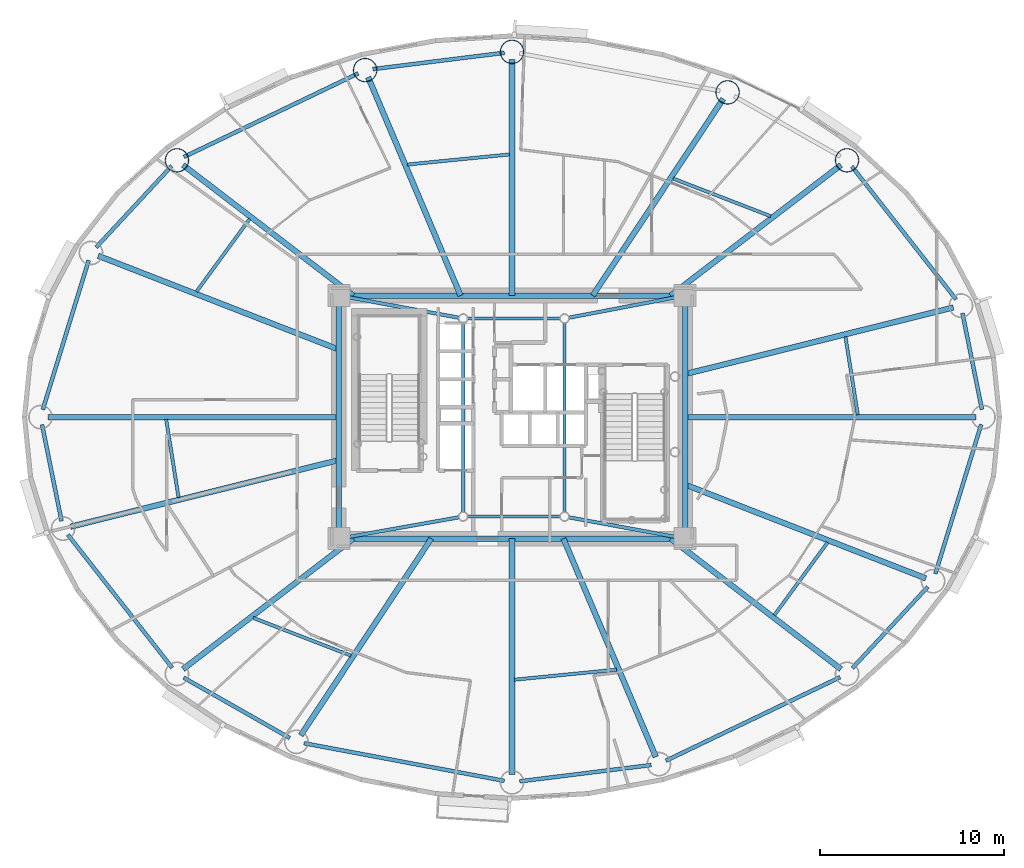
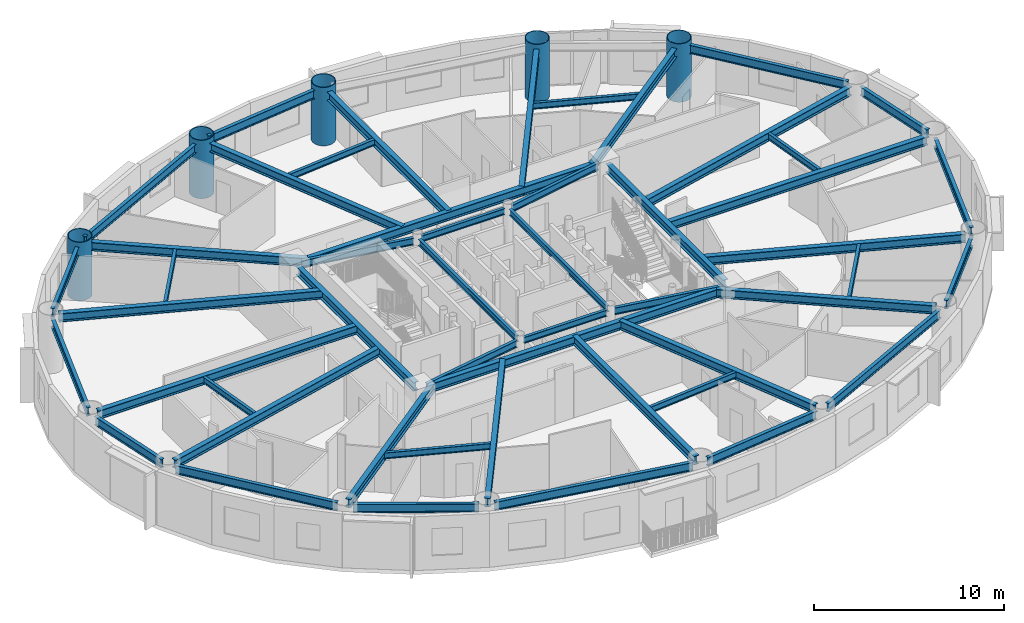
# One storey, part 3 of 17: 50 beams, 5 columns.
"""IFC4 building model written with IfcOpenShell, lengths in metres."""

from ifc_helpers import new_model, si_unit, direction, frame, origin, origin_2d, place, context, subcontext, project, spatial, hollow_circle, i_section, extrude, material, material_profile, profile_set, type_object, element, save


model = new_model("IFC4")

# Units and contexts
model_context = context("Model", 3, precision=1e-05, world=origin(), true_north=direction((0.0, 1.0)))
body_context = subcontext(model_context, "Body", "Model", "MODEL_VIEW")
ifc_project = project(units=[si_unit("LENGTHUNIT", "METRE"), si_unit("AREAUNIT", "SQUARE_METRE"), si_unit("VOLUMEUNIT", "CUBIC_METRE"), si_unit("PLANEANGLEUNIT", "RADIAN"), si_unit("MASSUNIT", "GRAM", prefix="KILO")], contexts=[model_context])

# Site, building, storey
site_placement = place(None, origin())
site = spatial("IfcSite", under=ifc_project, at=site_placement, CompositionType="ELEMENT")
building_placement = place(site_placement, origin())
building = spatial("IfcBuilding", under=site, at=building_placement, Name="Linh Dai School and Residence Tower", CompositionType="ELEMENT")
storey_placement = place(building_placement, frame((0.0, 0.0, 201.14990234375)))
storey = spatial("IfcBuildingStorey", under=building, at=storey_placement, Name="L49", CompositionType="ELEMENT", Elevation=201.14990234375)

# Columns
ifc_material = material(Name="Structural Steel S355JR", Category="steel")
ifc_material_profile_1 = material_profile(ifc_material, hollow_circle(Radius=0.64990234375, WallThickness=0.0400390625, at=origin_2d()), Name="CHS 1300x40")
ifc_profile_set_1 = profile_set([ifc_material_profile_1], Name="Structural Steel S355JR")
column_type = type_object("IfcColumnType", Name="COL-MC4", PredefinedType="COLUMN", material=ifc_profile_set_1)
for number, where, z_axis, x_axis, name in (
    (1, (54.1923828125, 40.941650390625, 0.0), (0.0, 0.0, 1.0), (1.0, 0.0, 0.0), "L49 Perimeter CFT Mega-Column MC03"),
    (2, (47.70556640625, 44.630859375, 0.0), (0.0, 0.0, 1.0), (1.0, 0.0, 0.0), "L49 Perimeter CFT Mega-Column MC04"),
    (3, (36.0, 46.830078125, 0.0), (0.0, 0.0, 1.0), (1.0, 0.0, 0.0), "L49 Perimeter CFT Mega-Column MC05"),
    (4, (28.026611328125, 45.84130859375, 0.0), (0.0, 0.0, 1.0), (1.0, 0.0, 0.0), "L49 Perimeter CFT Mega-Column MC06"),
    (5, (17.8076171875, 40.941650390625, 0.0), (0.0, 0.0, 1.0), (1.0, 0.0, 0.0), "L49 Perimeter CFT Mega-Column MC07"),
):
    element("IfcColumn", number, at=place(storey_placement, frame(where, z_axis=z_axis, x_axis=x_axis)), inside=storey, type_object=column_type, Name=name, PredefinedType="COLUMN", context=body_context, shape_type="SweptSolid", body=[
        extrude(hollow_circle(Radius=0.64990234375, WallThickness=0.0400390625, at=origin_2d()), origin(), (0.0, 0.0, 1.0), 3.75),
    ])

# Beams
ifc_material_profile_2 = material_profile(ifc_material, i_section(OverallWidth=0.2099609375, OverallDepth=0.550048828125, WebThickness=0.010986328125, FlangeThickness=0.01708984375, FilletRadius=0.02392578125, at=origin_2d()), Name="IPE 550")
ifc_profile_set_2 = profile_set([ifc_material_profile_2], Name="Structural Steel S355JR")
beam_type_1 = type_object("IfcBeamType", Name="BM-RB55", PredefinedType="BEAM", material=ifc_profile_set_2)
beam_1_placement = place(storey_placement, frame((61.5166015625, 27.41162109375, 3.175048828125), z_axis=(-0.198420723955, 0.980116940117, 0.0), x_axis=(-0.980116940117, -0.198420723955, 0.0)))
element("IfcBeam", 6, at=beam_1_placement, inside=storey, type_object=beam_type_1, Name="L49 Perimeter Elliptical Ring Beam 01", PredefinedType="BEAM", context=body_context, shape_type="SweptSolid", body=[
    extrude(i_section(OverallWidth=0.2099609375, OverallDepth=0.550048828125, WebThickness=0.010986328125, FlangeThickness=0.01708984375, FilletRadius=0.02392578125, at=origin_2d()), origin(), (0.0, 0.0, 1.0), 5.33642578125),
])
beam_2_placement = place(storey_placement, frame((60.115478515625, 33.38427734375, 3.175048828125), z_axis=(-0.616852281883, 0.787078942887, 0.0), x_axis=(-0.787078942887, -0.616852281883, 0.0)))
element("IfcBeam", 7, at=beam_2_placement, inside=storey, type_object=beam_type_1, Name="L49 Perimeter Elliptical Ring Beam 02", PredefinedType="BEAM", context=body_context, shape_type="SweptSolid", body=[
    extrude(i_section(OverallWidth=0.2099609375, OverallDepth=0.550048828125, WebThickness=0.010986328125, FlangeThickness=0.01708984375, FilletRadius=0.02392578125, at=origin_2d()), origin(), (0.0, 0.0, 1.0), 9.181884765625),
])
beam_3_placement = place(storey_placement, frame((35.583251953125, 46.7783203125, 3.175048828125), z_axis=(-0.992400597975, -0.123048986741, 0.0), x_axis=(0.123048986741, -0.992400597975, 0.0)))
element("IfcBeam", 8, at=beam_3_placement, inside=storey, type_object=beam_type_1, Name="L49 Perimeter Elliptical Ring Beam 05", PredefinedType="BEAM", context=body_context, shape_type="SweptSolid", body=[
    extrude(i_section(OverallWidth=0.2099609375, OverallDepth=0.550048828125, WebThickness=0.010986328125, FlangeThickness=0.01708984375, FilletRadius=0.02392578125, at=origin_2d()), origin(), (0.0, 0.0, 1.0), 7.1943359375),
])
beam_4_placement = place(storey_placement, frame((27.64794921875, 45.659912109375, 3.175048828125), z_axis=(-0.901708141823, -0.432345263614, 0.0), x_axis=(0.432345263614, -0.901708141823, 0.0)))
element("IfcBeam", 9, at=beam_4_placement, inside=storey, type_object=beam_type_1, Name="L49 Perimeter Elliptical Ring Beam 06", PredefinedType="BEAM", context=body_context, shape_type="SweptSolid", body=[
    extrude(i_section(OverallWidth=0.2099609375, OverallDepth=0.550048828125, WebThickness=0.010986328125, FlangeThickness=0.01708984375, FilletRadius=0.02392578125, at=origin_2d()), origin(), (0.0, 0.0, 1.0), 10.4931640625),
])
beam_5_placement = place(storey_placement, frame((17.521728515625, 40.6337890625, 3.175048828125), z_axis=(-0.680378035197, -0.732861330145, 0.0), x_axis=(0.732861330145, -0.680378035197, 0.0)))
element("IfcBeam", 10, at=beam_5_placement, inside=storey, type_object=beam_type_1, Name="L49 Perimeter Elliptical Ring Beam 07", PredefinedType="BEAM", context=body_context, shape_type="SweptSolid", body=[
    extrude(i_section(OverallWidth=0.2099609375, OverallDepth=0.550048828125, WebThickness=0.010986328125, FlangeThickness=0.01708984375, FilletRadius=0.02392578125, at=origin_2d()), origin(), (0.0, 0.0, 1.0), 6.024169921875),
])
beam_6_placement = place(storey_placement, frame((13.01416015625, 35.509765625, 3.175048828125), z_axis=(-0.29363681283, -0.955917058196, 0.0), x_axis=(0.955917058196, -0.29363681283, 0.0)))
element("IfcBeam", 11, at=beam_6_placement, inside=storey, type_object=beam_type_1, Name="L49 Perimeter Elliptical Ring Beam 08", PredefinedType="BEAM", context=body_context, shape_type="SweptSolid", body=[
    extrude(i_section(OverallWidth=0.2099609375, OverallDepth=0.550048828125, WebThickness=0.010986328125, FlangeThickness=0.01708984375, FilletRadius=0.02392578125, at=origin_2d()), origin(), (0.0, 0.0, 1.0), 8.482421875),
])
beam_7_placement = place(storey_placement, frame((10.4833984375, 26.58837890625, 3.175048828125), z_axis=(0.198420723955, -0.980116940117, 0.0), x_axis=(0.980116940117, 0.198420723955, 0.0)))
element("IfcBeam", 12, at=beam_7_placement, inside=storey, type_object=beam_type_1, Name="L49 Perimeter Elliptical Ring Beam 09", PredefinedType="BEAM", context=body_context, shape_type="SweptSolid", body=[
    extrude(i_section(OverallWidth=0.2099609375, OverallDepth=0.550048828125, WebThickness=0.010986328125, FlangeThickness=0.01708984375, FilletRadius=0.02392578125, at=origin_2d()), origin(), (0.0, 0.0, 1.0), 5.33642578125),
])
beam_8_placement = place(storey_placement, frame((11.884521484375, 20.61572265625, 3.175048828125), z_axis=(0.616852281883, -0.787078942887, 0.0), x_axis=(0.787078942887, 0.616852281883, 0.0)))
element("IfcBeam", 13, at=beam_8_placement, inside=storey, type_object=beam_type_1, Name="L49 Perimeter Elliptical Ring Beam 10", PredefinedType="BEAM", context=body_context, shape_type="SweptSolid", body=[
    extrude(i_section(OverallWidth=0.2099609375, OverallDepth=0.550048828125, WebThickness=0.010986328125, FlangeThickness=0.01708984375, FilletRadius=0.02392578125, at=origin_2d()), origin(), (0.0, 0.0, 1.0), 9.181884765625),
])
beam_9_placement = place(storey_placement, frame((18.172607421875, 12.8505859375, 3.175048828125), z_axis=(0.869262164011, -0.49435138335, 0.0), x_axis=(0.49435138335, 0.869262164011, 0.0)))
element("IfcBeam", 14, at=beam_9_placement, inside=storey, type_object=beam_type_1, Name="L49 Perimeter Elliptical Ring Beam 11", PredefinedType="BEAM", context=body_context, shape_type="SweptSolid", body=[
    extrude(i_section(OverallWidth=0.2099609375, OverallDepth=0.550048828125, WebThickness=0.010986328125, FlangeThickness=0.01708984375, FilletRadius=0.02392578125, at=origin_2d()), origin(), (0.0, 0.0, 1.0), 6.62255859375),
])
beam_10_placement = place(storey_placement, frame((24.707275390625, 9.29150390625, 3.175048828125), z_axis=(0.98280721278, -0.184634727255, 0.0), x_axis=(0.184634727255, 0.98280721278, 0.0)))
element("IfcBeam", 15, at=beam_10_placement, inside=storey, type_object=beam_type_1, Name="L49 Perimeter Elliptical Ring Beam 12", PredefinedType="BEAM", context=body_context, shape_type="SweptSolid", body=[
    extrude(i_section(OverallWidth=0.2099609375, OverallDepth=0.550048828125, WebThickness=0.010986328125, FlangeThickness=0.01708984375, FilletRadius=0.02392578125, at=origin_2d()), origin(), (0.0, 0.0, 1.0), 11.0703125),
])
beam_11_placement = place(storey_placement, frame((36.416748046875, 7.2216796875, 3.175048828125), z_axis=(0.992400597975, 0.123048986741, 0.0), x_axis=(-0.123048986741, 0.992400597975, 0.0)))
element("IfcBeam", 16, at=beam_11_placement, inside=storey, type_object=beam_type_1, Name="L49 Perimeter Elliptical Ring Beam 13", PredefinedType="BEAM", context=body_context, shape_type="SweptSolid", body=[
    extrude(i_section(OverallWidth=0.2099609375, OverallDepth=0.550048828125, WebThickness=0.010986328125, FlangeThickness=0.01708984375, FilletRadius=0.02392578125, at=origin_2d()), origin(), (0.0, 0.0, 1.0), 7.1943359375),
])
beam_12_placement = place(storey_placement, frame((44.35205078125, 8.340087890625, 3.175048828125), z_axis=(0.901708141823, 0.432345263614, 0.0), x_axis=(-0.432345263614, 0.901708141823, 0.0)))
element("IfcBeam", 17, at=beam_12_placement, inside=storey, type_object=beam_type_1, Name="L49 Perimeter Elliptical Ring Beam 14", PredefinedType="BEAM", context=body_context, shape_type="SweptSolid", body=[
    extrude(i_section(OverallWidth=0.2099609375, OverallDepth=0.550048828125, WebThickness=0.010986328125, FlangeThickness=0.01708984375, FilletRadius=0.02392578125, at=origin_2d()), origin(), (0.0, 0.0, 1.0), 10.4931640625),
])
beam_13_placement = place(storey_placement, frame((54.478271484375, 13.3662109375, 3.175048828125), z_axis=(0.680378035197, 0.732861330145, 0.0), x_axis=(-0.732861330145, 0.680378035197, 0.0)))
element("IfcBeam", 18, at=beam_13_placement, inside=storey, type_object=beam_type_1, Name="L49 Perimeter Elliptical Ring Beam 15", PredefinedType="BEAM", context=body_context, shape_type="SweptSolid", body=[
    extrude(i_section(OverallWidth=0.2099609375, OverallDepth=0.550048828125, WebThickness=0.010986328125, FlangeThickness=0.01708984375, FilletRadius=0.02392578125, at=origin_2d()), origin(), (0.0, 0.0, 1.0), 6.024169921875),
])
beam_14_placement = place(storey_placement, frame((58.98583984375, 18.490234375, 3.175048828125), z_axis=(0.29363681283, 0.955917058196, 0.0), x_axis=(-0.955917058196, 0.29363681283, 0.0)))
element("IfcBeam", 19, at=beam_14_placement, inside=storey, type_object=beam_type_1, Name="L49 Perimeter Elliptical Ring Beam 16", PredefinedType="BEAM", context=body_context, shape_type="SweptSolid", body=[
    extrude(i_section(OverallWidth=0.2099609375, OverallDepth=0.550048828125, WebThickness=0.010986328125, FlangeThickness=0.01708984375, FilletRadius=0.02392578125, at=origin_2d()), origin(), (0.0, 0.0, 1.0), 8.482421875),
])
ifc_material_profile_3 = material_profile(ifc_material, i_section(OverallWidth=0.300048828125, OverallDepth=0.550048828125, WebThickness=0.014892578125, FlangeThickness=0.029052734375, FilletRadius=0.027099609375, at=origin_2d()), Name="HEB 550")
ifc_profile_set_3 = profile_set([ifc_material_profile_3], Name="Structural Steel S355JR")
beam_type_2 = type_object("IfcBeamType", Name="BM-RG55", PredefinedType="BEAM", material=ifc_profile_set_3)
beam_15_placement = place(storey_placement, frame((27.02001953125, 20.39990234375, 3.175048828125), z_axis=(1.0, 0.0, 0.0), x_axis=(0.0, 1.0, 0.0)))
element("IfcBeam", 20, at=beam_15_placement, inside=storey, type_object=beam_type_2, Name="L49 Core Perimeter Coupling Girder 1", PredefinedType="BEAM", context=body_context, shape_type="SweptSolid", body=[
    extrude(i_section(OverallWidth=0.300048828125, OverallDepth=0.550048828125, WebThickness=0.014892578125, FlangeThickness=0.029052734375, FilletRadius=0.027099609375, at=origin_2d()), origin(), (0.0, 0.0, 1.0), 17.9599609375),
])
beam_16_placement = place(storey_placement, frame((45.39990234375, 20.820068359375, 3.175048828125), z_axis=(0.0, 1.0, 0.0), x_axis=(-1.0, 0.0, 0.0)))
element("IfcBeam", 21, at=beam_16_placement, inside=storey, type_object=beam_type_2, Name="L49 Core Perimeter Coupling Girder 2", PredefinedType="BEAM", context=body_context, shape_type="SweptSolid", body=[
    extrude(i_section(OverallWidth=0.300048828125, OverallDepth=0.550048828125, WebThickness=0.014892578125, FlangeThickness=0.029052734375, FilletRadius=0.027099609375, at=origin_2d()), origin(), (0.0, 0.0, 1.0), 12.35986328125),
])
beam_17_placement = place(storey_placement, frame((44.97998046875, 33.60009765625, 3.175048828125), z_axis=(-1.0, 0.0, 0.0), x_axis=(0.0, -1.0, 0.0)))
element("IfcBeam", 22, at=beam_17_placement, inside=storey, type_object=beam_type_2, Name="L49 Core Perimeter Coupling Girder 3", PredefinedType="BEAM", context=body_context, shape_type="SweptSolid", body=[
    extrude(i_section(OverallWidth=0.300048828125, OverallDepth=0.550048828125, WebThickness=0.014892578125, FlangeThickness=0.029052734375, FilletRadius=0.027099609375, at=origin_2d()), origin(), (0.0, 0.0, 1.0), 17.9599609375),
])
beam_18_placement = place(storey_placement, frame((26.60009765625, 33.179931640625, 3.175048828125), z_axis=(0.0, -1.0, 0.0), x_axis=(1.0, 0.0, 0.0)))
element("IfcBeam", 23, at=beam_18_placement, inside=storey, type_object=beam_type_2, Name="L49 Core Perimeter Coupling Girder 4", PredefinedType="BEAM", context=body_context, shape_type="SweptSolid", body=[
    extrude(i_section(OverallWidth=0.300048828125, OverallDepth=0.550048828125, WebThickness=0.014892578125, FlangeThickness=0.029052734375, FilletRadius=0.027099609375, at=origin_2d()), origin(), (0.0, 0.0, 1.0), 12.35986328125),
])
beam_19_placement = place(storey_placement, frame((45.39990234375, 27.0, 3.175048828125), z_axis=(1.0, 0.0, 0.0), x_axis=(0.0, 1.0, 0.0)))
element("IfcBeam", 24, at=beam_19_placement, inside=storey, type_object=beam_type_2, Name="L49 Primary Radial Floor Girder 01", PredefinedType="BEAM", context=body_context, shape_type="SweptSolid", body=[
    extrude(i_section(OverallWidth=0.300048828125, OverallDepth=0.550048828125, WebThickness=0.014892578125, FlangeThickness=0.029052734375, FilletRadius=0.027099609375, at=origin_2d()), origin(), (0.0, 0.0, 1.0), 15.780029296875),
])
beam_20_placement = place(storey_placement, frame((45.39990234375, 29.33447265625, 3.175048828125), z_axis=(0.970514508209, 0.24104271272, 0.0), x_axis=(-0.24104271272, 0.970514508209, 0.0)))
element("IfcBeam", 25, at=beam_20_placement, inside=storey, type_object=beam_type_2, Name="L49 Primary Radial Floor Girder 02", PredefinedType="BEAM", context=body_context, shape_type="SweptSolid", body=[
    extrude(i_section(OverallWidth=0.300048828125, OverallDepth=0.550048828125, WebThickness=0.014892578125, FlangeThickness=0.029052734375, FilletRadius=0.027099609375, at=origin_2d()), origin(), (0.0, 0.0, 1.0), 15.009521484375),
])
beam_21_placement = place(storey_placement, frame((44.6123046875, 33.60009765625, 3.175048828125), z_axis=(0.793732831925, 0.608266546445, 0.0), x_axis=(-0.608266546445, 0.793732831925, 0.0)))
element("IfcBeam", 26, at=beam_21_placement, inside=storey, type_object=beam_type_2, Name="L49 Primary Radial Floor Girder 03", PredefinedType="BEAM", context=body_context, shape_type="SweptSolid", body=[
    extrude(i_section(OverallWidth=0.300048828125, OverallDepth=0.550048828125, WebThickness=0.014892578125, FlangeThickness=0.029052734375, FilletRadius=0.027099609375, at=origin_2d()), origin(), (0.0, 0.0, 1.0), 11.64990234375),
])
beam_22_placement = place(storey_placement, frame((40.3818359375, 33.60009765625, 3.175048828125), z_axis=(0.553117176317, 0.833103468522, 0.0), x_axis=(-0.833103468522, 0.553117176317, 0.0)))
element("IfcBeam", 27, at=beam_22_placement, inside=storey, type_object=beam_type_2, Name="L49 Primary Radial Floor Girder 04", PredefinedType="BEAM", context=body_context, shape_type="SweptSolid", body=[
    extrude(i_section(OverallWidth=0.300048828125, OverallDepth=0.550048828125, WebThickness=0.014892578125, FlangeThickness=0.029052734375, FilletRadius=0.027099609375, at=origin_2d()), origin(), (0.0, 0.0, 1.0), 12.820556640625),
])
beam_23_placement = place(storey_placement, frame((36.0, 33.60009765625, 3.175048828125), z_axis=(0.0, 1.0, 0.0), x_axis=(-1.0, 0.0, 0.0)))
element("IfcBeam", 28, at=beam_23_placement, inside=storey, type_object=beam_type_2, Name="L49 Primary Radial Floor Girder 05", PredefinedType="BEAM", context=body_context, shape_type="SweptSolid", body=[
    extrude(i_section(OverallWidth=0.300048828125, OverallDepth=0.550048828125, WebThickness=0.014892578125, FlangeThickness=0.029052734375, FilletRadius=0.027099609375, at=origin_2d()), origin(), (0.0, 0.0, 1.0), 12.809814453125),
])
beam_24_placement = place(storey_placement, frame((33.20703125, 33.60009765625, 3.175048828125), z_axis=(-0.389721661447, 0.920932693849, 0.0), x_axis=(-0.920932693849, -0.389721661447, 0.0)))
element("IfcBeam", 29, at=beam_24_placement, inside=storey, type_object=beam_type_2, Name="L49 Primary Radial Floor Girder 06", PredefinedType="BEAM", context=body_context, shape_type="SweptSolid", body=[
    extrude(i_section(OverallWidth=0.300048828125, OverallDepth=0.550048828125, WebThickness=0.014892578125, FlangeThickness=0.029052734375, FilletRadius=0.027099609375, at=origin_2d()), origin(), (0.0, 0.0, 1.0), 12.872314453125),
])
beam_25_placement = place(storey_placement, frame((27.3876953125, 33.60009765625, 3.175048828125), z_axis=(-0.793732831925, 0.608266546445, 0.0), x_axis=(-0.608266546445, -0.793732831925, 0.0)))
element("IfcBeam", 30, at=beam_25_placement, inside=storey, type_object=beam_type_2, Name="L49 Primary Radial Floor Girder 07", PredefinedType="BEAM", context=body_context, shape_type="SweptSolid", body=[
    extrude(i_section(OverallWidth=0.300048828125, OverallDepth=0.550048828125, WebThickness=0.014892578125, FlangeThickness=0.029052734375, FilletRadius=0.027099609375, at=origin_2d()), origin(), (0.0, 0.0, 1.0), 11.64990234375),
])
beam_26_placement = place(storey_placement, frame((26.60009765625, 30.663818359375, 3.175048828125), z_axis=(-0.931722873254, 0.363170053081, 0.0), x_axis=(-0.363170053081, -0.931722873254, 0.0)))
element("IfcBeam", 31, at=beam_26_placement, inside=storey, type_object=beam_type_2, Name="L49 Primary Radial Floor Girder 08", PredefinedType="BEAM", context=body_context, shape_type="SweptSolid", body=[
    extrude(i_section(OverallWidth=0.300048828125, OverallDepth=0.550048828125, WebThickness=0.014892578125, FlangeThickness=0.029052734375, FilletRadius=0.027099609375, at=origin_2d()), origin(), (0.0, 0.0, 1.0), 14.029052734375),
])
beam_27_placement = place(storey_placement, frame((26.60009765625, 27.0, 3.175048828125), z_axis=(-1.0, 0.0, 0.0), x_axis=(0.0, -1.0, 0.0)))
element("IfcBeam", 32, at=beam_27_placement, inside=storey, type_object=beam_type_2, Name="L49 Primary Radial Floor Girder 09", PredefinedType="BEAM", context=body_context, shape_type="SweptSolid", body=[
    extrude(i_section(OverallWidth=0.300048828125, OverallDepth=0.550048828125, WebThickness=0.014892578125, FlangeThickness=0.029052734375, FilletRadius=0.027099609375, at=origin_2d()), origin(), (0.0, 0.0, 1.0), 15.780029296875),
])
beam_28_placement = place(storey_placement, frame((26.60009765625, 24.66552734375, 3.175048828125), z_axis=(-0.970514508209, -0.24104271272, 0.0), x_axis=(0.24104271272, -0.970514508209, 0.0)))
element("IfcBeam", 33, at=beam_28_placement, inside=storey, type_object=beam_type_2, Name="L49 Primary Radial Floor Girder 10", PredefinedType="BEAM", context=body_context, shape_type="SweptSolid", body=[
    extrude(i_section(OverallWidth=0.300048828125, OverallDepth=0.550048828125, WebThickness=0.014892578125, FlangeThickness=0.029052734375, FilletRadius=0.027099609375, at=origin_2d()), origin(), (0.0, 0.0, 1.0), 15.009521484375),
])
beam_29_placement = place(storey_placement, frame((27.3876953125, 20.39990234375, 3.175048828125), z_axis=(-0.793732831925, -0.608266546445, 0.0), x_axis=(0.608266546445, -0.793732831925, 0.0)))
element("IfcBeam", 34, at=beam_29_placement, inside=storey, type_object=beam_type_2, Name="L49 Primary Radial Floor Girder 11", PredefinedType="BEAM", context=body_context, shape_type="SweptSolid", body=[
    extrude(i_section(OverallWidth=0.300048828125, OverallDepth=0.550048828125, WebThickness=0.014892578125, FlangeThickness=0.029052734375, FilletRadius=0.027099609375, at=origin_2d()), origin(), (0.0, 0.0, 1.0), 11.64990234375),
])
beam_30_placement = place(storey_placement, frame((31.6181640625, 20.39990234375, 3.175048828125), z_axis=(-0.553117176317, -0.833103468522, 0.0), x_axis=(0.833103468522, -0.553117176317, 0.0)))
element("IfcBeam", 35, at=beam_30_placement, inside=storey, type_object=beam_type_2, Name="L49 Primary Radial Floor Girder 12", PredefinedType="BEAM", context=body_context, shape_type="SweptSolid", body=[
    extrude(i_section(OverallWidth=0.300048828125, OverallDepth=0.550048828125, WebThickness=0.014892578125, FlangeThickness=0.029052734375, FilletRadius=0.027099609375, at=origin_2d()), origin(), (0.0, 0.0, 1.0), 12.820556640625),
])
beam_31_placement = place(storey_placement, frame((36.0, 20.39990234375, 3.175048828125), z_axis=(0.0, -1.0, 0.0), x_axis=(1.0, 0.0, 0.0)))
element("IfcBeam", 36, at=beam_31_placement, inside=storey, type_object=beam_type_2, Name="L49 Primary Radial Floor Girder 13", PredefinedType="BEAM", context=body_context, shape_type="SweptSolid", body=[
    extrude(i_section(OverallWidth=0.300048828125, OverallDepth=0.550048828125, WebThickness=0.014892578125, FlangeThickness=0.029052734375, FilletRadius=0.027099609375, at=origin_2d()), origin(), (0.0, 0.0, 1.0), 12.809814453125),
])
beam_32_placement = place(storey_placement, frame((38.79296875, 20.39990234375, 3.175048828125), z_axis=(0.389721661447, -0.920932693849, 0.0), x_axis=(0.920932693849, 0.389721661447, 0.0)))
element("IfcBeam", 37, at=beam_32_placement, inside=storey, type_object=beam_type_2, Name="L49 Primary Radial Floor Girder 14", PredefinedType="BEAM", context=body_context, shape_type="SweptSolid", body=[
    extrude(i_section(OverallWidth=0.300048828125, OverallDepth=0.550048828125, WebThickness=0.014892578125, FlangeThickness=0.029052734375, FilletRadius=0.027099609375, at=origin_2d()), origin(), (0.0, 0.0, 1.0), 12.872314453125),
])
beam_33_placement = place(storey_placement, frame((44.6123046875, 20.39990234375, 3.175048828125), z_axis=(0.793732831925, -0.608266546445, 0.0), x_axis=(0.608266546445, 0.793732831925, 0.0)))
element("IfcBeam", 38, at=beam_33_placement, inside=storey, type_object=beam_type_2, Name="L49 Primary Radial Floor Girder 15", PredefinedType="BEAM", context=body_context, shape_type="SweptSolid", body=[
    extrude(i_section(OverallWidth=0.300048828125, OverallDepth=0.550048828125, WebThickness=0.014892578125, FlangeThickness=0.029052734375, FilletRadius=0.027099609375, at=origin_2d()), origin(), (0.0, 0.0, 1.0), 11.64990234375),
])
beam_34_placement = place(storey_placement, frame((45.39990234375, 23.336181640625, 3.175048828125), z_axis=(0.931722873254, -0.363170053081, 0.0), x_axis=(0.363170053081, 0.931722873254, 0.0)))
element("IfcBeam", 39, at=beam_34_placement, inside=storey, type_object=beam_type_2, Name="L49 Primary Radial Floor Girder 16", PredefinedType="BEAM", context=body_context, shape_type="SweptSolid", body=[
    extrude(i_section(OverallWidth=0.300048828125, OverallDepth=0.550048828125, WebThickness=0.014892578125, FlangeThickness=0.029052734375, FilletRadius=0.027099609375, at=origin_2d()), origin(), (0.0, 0.0, 1.0), 14.029052734375),
])
ifc_material_profile_4 = material_profile(ifc_material, i_section(OverallWidth=0.179931640625, OverallDepth=0.39990234375, WebThickness=0.008544921875, FlangeThickness=0.013427734375, FilletRadius=0.02099609375, at=origin_2d()), Name="IPE 400")
ifc_profile_set_4 = profile_set([ifc_material_profile_4], Name="Structural Steel S355JR")
beam_type_3 = type_object("IfcBeamType", Name="BM-SB40", PredefinedType="BEAM", material=ifc_profile_set_4)
beam_35_placement = place(storey_placement, frame((33.573974609375, 21.60009765625, 3.25), z_axis=(1.0, 0.0, 0.0), x_axis=(0.0, 1.0, 0.0)))
element("IfcBeam", 40, at=beam_35_placement, inside=storey, type_object=beam_type_3, Name="L49 Core Mast Pier Tie Beam 1", PredefinedType="BEAM", context=body_context, shape_type="SweptSolid", body=[
    extrude(i_section(OverallWidth=0.179931640625, OverallDepth=0.39990234375, WebThickness=0.008544921875, FlangeThickness=0.013427734375, FilletRadius=0.02099609375, at=origin_2d()), origin(), (0.0, 0.0, 1.0), 5.052001953125),
])
beam_36_placement = place(storey_placement, frame((38.85009765625, 21.823974609375, 3.25), z_axis=(0.0, 1.0, 0.0), x_axis=(-1.0, 0.0, 0.0)))
element("IfcBeam", 41, at=beam_36_placement, inside=storey, type_object=beam_type_3, Name="L49 Core Mast Pier Tie Beam 2", PredefinedType="BEAM", context=body_context, shape_type="SweptSolid", body=[
    extrude(i_section(OverallWidth=0.179931640625, OverallDepth=0.39990234375, WebThickness=0.008544921875, FlangeThickness=0.013427734375, FilletRadius=0.02099609375, at=origin_2d()), origin(), (0.0, 0.0, 1.0), 10.302001953125),
])
beam_37_placement = place(storey_placement, frame((38.6259765625, 32.35009765625, 3.25), z_axis=(-1.0, 0.0, 0.0), x_axis=(0.0, -1.0, 0.0)))
element("IfcBeam", 42, at=beam_37_placement, inside=storey, type_object=beam_type_3, Name="L49 Core Mast Pier Tie Beam 3", PredefinedType="BEAM", context=body_context, shape_type="SweptSolid", body=[
    extrude(i_section(OverallWidth=0.179931640625, OverallDepth=0.39990234375, WebThickness=0.008544921875, FlangeThickness=0.013427734375, FilletRadius=0.02099609375, at=origin_2d()), origin(), (0.0, 0.0, 1.0), 5.052001953125),
])
beam_38_placement = place(storey_placement, frame((33.35009765625, 32.1259765625, 3.25), z_axis=(0.0, -1.0, 0.0), x_axis=(1.0, 0.0, 0.0)))
element("IfcBeam", 43, at=beam_38_placement, inside=storey, type_object=beam_type_3, Name="L49 Core Mast Pier Tie Beam 4", PredefinedType="BEAM", context=body_context, shape_type="SweptSolid", body=[
    extrude(i_section(OverallWidth=0.179931640625, OverallDepth=0.39990234375, WebThickness=0.008544921875, FlangeThickness=0.013427734375, FilletRadius=0.02099609375, at=origin_2d()), origin(), (0.0, 0.0, 1.0), 10.302001953125),
])
beam_39_placement = place(storey_placement, frame((54.775634765625, 27.12841796875, 3.25), z_axis=(-0.156304675371, 0.987708888518, 0.0), x_axis=(-0.987708888518, -0.156304675371, 0.0)))
element("IfcBeam", 44, at=beam_39_placement, inside=storey, type_object=beam_type_3, Name="L49 Secondary Circumferential Floor Beam 01", PredefinedType="BEAM", context=body_context, shape_type="SweptSolid", body=[
    extrude(i_section(OverallWidth=0.179931640625, OverallDepth=0.39990234375, WebThickness=0.008544921875, FlangeThickness=0.013427734375, FilletRadius=0.02099609375, at=origin_2d()), origin(), (0.0, 0.0, 1.0), 4.28759765625),
])
beam_40_placement = place(storey_placement, frame((50.047607421875, 37.905029296875, 3.25), z_axis=(-0.932814887644, 0.360355914881, 0.0), x_axis=(-0.360355914881, -0.932814887644, 0.0)))
element("IfcBeam", 45, at=beam_40_placement, inside=storey, type_object=beam_type_3, Name="L49 Secondary Circumferential Floor Beam 02", PredefinedType="BEAM", context=body_context, shape_type="SweptSolid", body=[
    extrude(i_section(OverallWidth=0.179931640625, OverallDepth=0.39990234375, WebThickness=0.008544921875, FlangeThickness=0.013427734375, FilletRadius=0.02099609375, at=origin_2d()), origin(), (0.0, 0.0, 1.0), 5.67822265625),
])
beam_41_placement = place(storey_placement, frame((35.87060546875, 41.260498046875, 3.25), z_axis=(-0.995148179174, -0.098387506761, 0.0), x_axis=(0.098387506761, -0.995148179174, 0.0)))
element("IfcBeam", 46, at=beam_41_placement, inside=storey, type_object=beam_type_3, Name="L49 Secondary Circumferential Floor Beam 03", PredefinedType="BEAM", context=body_context, shape_type="SweptSolid", body=[
    extrude(i_section(OverallWidth=0.179931640625, OverallDepth=0.39990234375, WebThickness=0.008544921875, FlangeThickness=0.013427734375, FilletRadius=0.02099609375, at=origin_2d()), origin(), (0.0, 0.0, 1.0), 5.56591796875),
])
beam_42_placement = place(storey_placement, frame((21.75439453125, 37.75341796875, 3.25), z_axis=(-0.590804505267, -0.806814747359, 0.0), x_axis=(0.806814747359, -0.590804505267, 0.0)))
element("IfcBeam", 47, at=beam_42_placement, inside=storey, type_object=beam_type_3, Name="L49 Secondary Circumferential Floor Beam 04", PredefinedType="BEAM", context=body_context, shape_type="SweptSolid", body=[
    extrude(i_section(OverallWidth=0.179931640625, OverallDepth=0.39990234375, WebThickness=0.008544921875, FlangeThickness=0.013427734375, FilletRadius=0.02099609375, at=origin_2d()), origin(), (0.0, 0.0, 1.0), 4.884765625),
])
beam_43_placement = place(storey_placement, frame((17.224365234375, 26.87158203125, 3.25), z_axis=(0.156304675371, -0.987708888518, 0.0), x_axis=(0.987708888518, 0.156304675371, 0.0)))
element("IfcBeam", 48, at=beam_43_placement, inside=storey, type_object=beam_type_3, Name="L49 Secondary Circumferential Floor Beam 05", PredefinedType="BEAM", context=body_context, shape_type="SweptSolid", body=[
    extrude(i_section(OverallWidth=0.179931640625, OverallDepth=0.39990234375, WebThickness=0.008544921875, FlangeThickness=0.013427734375, FilletRadius=0.02099609375, at=origin_2d()), origin(), (0.0, 0.0, 1.0), 4.28759765625),
])
beam_44_placement = place(storey_placement, frame((21.952392578125, 16.094970703125, 3.25), z_axis=(0.932814887644, -0.360355914881, 0.0), x_axis=(0.360355914881, 0.932814887644, 0.0)))
element("IfcBeam", 49, at=beam_44_placement, inside=storey, type_object=beam_type_3, Name="L49 Secondary Circumferential Floor Beam 06", PredefinedType="BEAM", context=body_context, shape_type="SweptSolid", body=[
    extrude(i_section(OverallWidth=0.179931640625, OverallDepth=0.39990234375, WebThickness=0.008544921875, FlangeThickness=0.013427734375, FilletRadius=0.02099609375, at=origin_2d()), origin(), (0.0, 0.0, 1.0), 5.67822265625),
])
beam_45_placement = place(storey_placement, frame((36.12939453125, 12.739501953125, 3.25), z_axis=(0.995148179174, 0.098387506761, 0.0), x_axis=(-0.098387506761, 0.995148179174, 0.0)))
element("IfcBeam", 50, at=beam_45_placement, inside=storey, type_object=beam_type_3, Name="L49 Secondary Circumferential Floor Beam 07", PredefinedType="BEAM", context=body_context, shape_type="SweptSolid", body=[
    extrude(i_section(OverallWidth=0.179931640625, OverallDepth=0.39990234375, WebThickness=0.008544921875, FlangeThickness=0.013427734375, FilletRadius=0.02099609375, at=origin_2d()), origin(), (0.0, 0.0, 1.0), 5.56591796875),
])
beam_46_placement = place(storey_placement, frame((50.24560546875, 16.24658203125, 3.25), z_axis=(0.590804505267, 0.806814747359, 0.0), x_axis=(-0.806814747359, 0.590804505267, 0.0)))
element("IfcBeam", 51, at=beam_46_placement, inside=storey, type_object=beam_type_3, Name="L49 Secondary Circumferential Floor Beam 08", PredefinedType="BEAM", context=body_context, shape_type="SweptSolid", body=[
    extrude(i_section(OverallWidth=0.179931640625, OverallDepth=0.39990234375, WebThickness=0.008544921875, FlangeThickness=0.013427734375, FilletRadius=0.02099609375, at=origin_2d()), origin(), (0.0, 0.0, 1.0), 4.884765625),
])
ifc_material_profile_5 = material_profile(ifc_material, i_section(OverallWidth=0.18994140625, OverallDepth=0.449951171875, WebThickness=0.009521484375, FlangeThickness=0.0146484375, FilletRadius=0.02099609375, at=origin_2d()), Name="IPE 450")
ifc_profile_set_5 = profile_set([ifc_material_profile_5], Name="Structural Steel S355JR")
beam_type_4 = type_object("IfcBeamType", Name="BM-SB45", PredefinedType="BEAM", material=ifc_profile_set_5)
beam_47_placement = place(storey_placement, frame((27.013427734375, 20.4736328125, 3.22509765625), z_axis=(0.984565969371, 0.175013862185, 0.0), x_axis=(-0.175013862185, 0.984565969371, 0.0)))
element("IfcBeam", 52, at=beam_47_placement, inside=storey, type_object=beam_type_4, Name="L49 Core Corner-to-Mast Pier Beam 1", PredefinedType="BEAM", context=body_context, shape_type="SweptSolid", body=[
    extrude(i_section(OverallWidth=0.18994140625, OverallDepth=0.449951171875, WebThickness=0.009521484375, FlangeThickness=0.0146484375, FilletRadius=0.02099609375, at=origin_2d()), origin(), (0.0, 0.0, 1.0), 6.2119140625),
])
beam_48_placement = place(storey_placement, frame((44.98681640625, 20.4755859375, 3.22509765625), z_axis=(-0.983627428732, 0.180213987933, 0.0), x_axis=(-0.180213987933, -0.983627428732, 0.0)))
element("IfcBeam", 53, at=beam_48_placement, inside=storey, type_object=beam_type_4, Name="L49 Core Corner-to-Mast Pier Beam 2", PredefinedType="BEAM", context=body_context, shape_type="SweptSolid", body=[
    extrude(i_section(OverallWidth=0.18994140625, OverallDepth=0.449951171875, WebThickness=0.009521484375, FlangeThickness=0.0146484375, FilletRadius=0.02099609375, at=origin_2d()), origin(), (0.0, 0.0, 1.0), 6.014892578125),
])
beam_49_placement = place(storey_placement, frame((44.987548828125, 33.521240234375, 3.22509765625), z_axis=(-0.982277147686, -0.187434268836, 0.0), x_axis=(0.187434268836, -0.982277147686, 0.0)))
element("IfcBeam", 54, at=beam_49_placement, inside=storey, type_object=beam_type_4, Name="L49 Core Corner-to-Mast Pier Beam 3", PredefinedType="BEAM", context=body_context, shape_type="SweptSolid", body=[
    extrude(i_section(OverallWidth=0.18994140625, OverallDepth=0.449951171875, WebThickness=0.009521484375, FlangeThickness=0.0146484375, FilletRadius=0.02099609375, at=origin_2d()), origin(), (0.0, 0.0, 1.0), 6.024169921875),
])
beam_50_placement = place(storey_placement, frame((27.012939453125, 33.5234375, 3.22509765625), z_axis=(0.983286429055, -0.182065368579, 0.0), x_axis=(0.182065368579, 0.983286429055, 0.0)))
element("IfcBeam", 55, at=beam_50_placement, inside=storey, type_object=beam_type_4, Name="L49 Core Corner-to-Mast Pier Beam 4", PredefinedType="BEAM", context=body_context, shape_type="SweptSolid", body=[
    extrude(i_section(OverallWidth=0.18994140625, OverallDepth=0.449951171875, WebThickness=0.009521484375, FlangeThickness=0.0146484375, FilletRadius=0.02099609375, at=origin_2d()), origin(), (0.0, 0.0, 1.0), 6.220703125),
])

save(model, "model.ifc")
